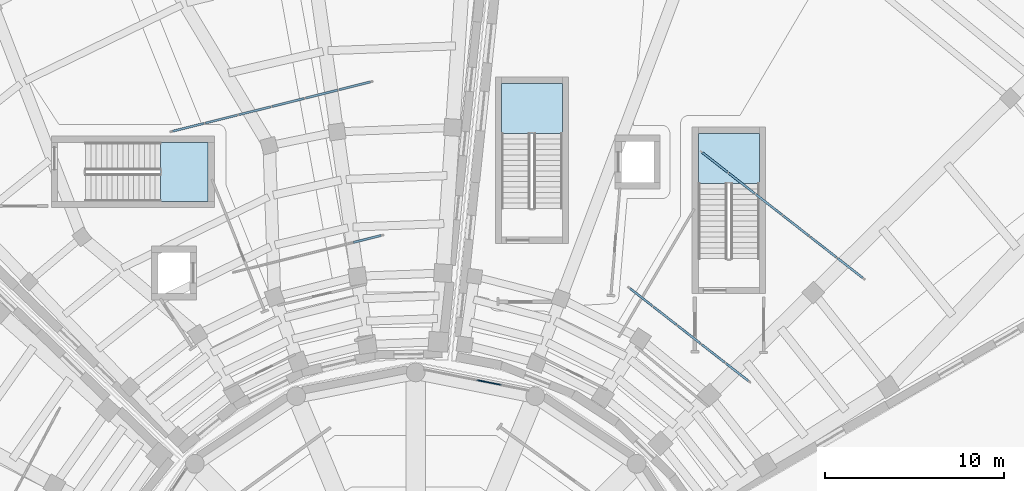
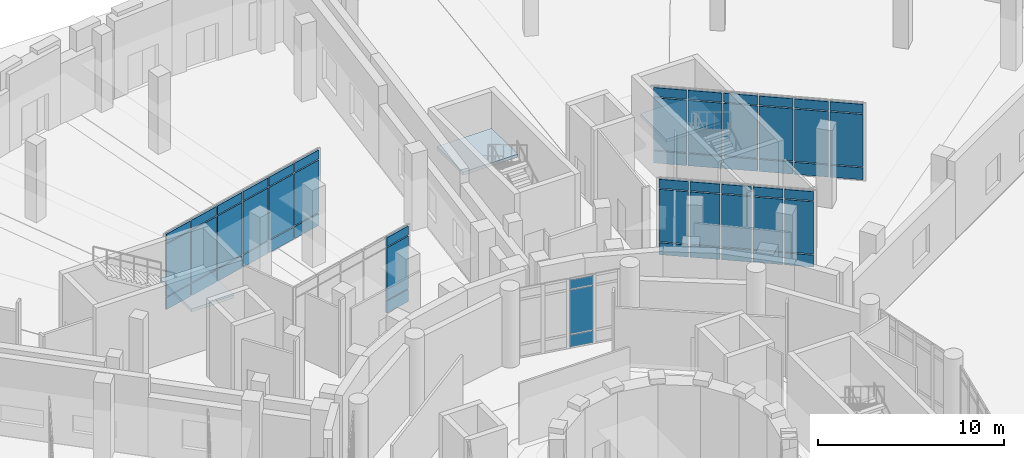
# One storey, part 38 of 74: 57 plates, 3 slabs, 8 elements without a shape of their own.
"""IFC4 building model written with IfcOpenShell, lengths in metres."""

from ifc_helpers import new_model, si_unit, direction, frame, origin, origin_2d, place, context, subcontext, project, spatial, polyline, rectangle, outline, extrude, material, layer, layer_set, type_object, element, aggregate, save


model = new_model("IFC4")

# Units and contexts
model_context = context("Model", 3, precision=1e-05, world=origin(), true_north=direction((0.0, 1.0)))
body_context = subcontext(model_context, "Body", "Model", "MODEL_VIEW")
ifc_project = project(units=[si_unit("LENGTHUNIT", "METRE"), si_unit("AREAUNIT", "SQUARE_METRE"), si_unit("VOLUMEUNIT", "CUBIC_METRE"), si_unit("PLANEANGLEUNIT", "RADIAN"), si_unit("MASSUNIT", "GRAM", prefix="KILO")], contexts=[model_context])

# Site, building, storey
site_placement = place(None, origin())
site = spatial("IfcSite", under=ifc_project, at=site_placement, CompositionType="ELEMENT")
building_placement = place(site_placement, origin())
building = spatial("IfcBuilding", under=site, at=building_placement, Name="Soyqirgoq Riverine Aquarium", CompositionType="ELEMENT")
storey_placement = place(building_placement, origin())
storey = spatial("IfcBuildingStorey", under=building, at=storey_placement, Name="L01", CompositionType="ELEMENT", Elevation=0.0)

# Curtain wall, plates
ifc_material_1 = material(Name="Cast polymethyl methacrylate PMMA Habitat Viewing Glazing", Category="glass")
curtain_wall_type_1 = type_object("IfcCurtainWallType", Name="CW_Interior_TankVitrine", PredefinedType="NOTDEFINED", material=ifc_material_1)
curtain_wall_1_placement = place(storey_placement, origin())
curtain_wall_1 = element("IfcCurtainWall", 1, at=curtain_wall_1_placement, inside=storey, type_object=curtain_wall_type_1, Name="V4 L01 Curtain Wall 151", PredefinedType="NOTDEFINED")
ifc_material_2 = material(Name="Cast polymethyl methacrylate PMMA", Category="glass")
ifc_layer_1 = layer(ifc_material_2, 0.1201171875)
ifc_layer_set_1 = layer_set([ifc_layer_1], Name="Cast polymethyl methacrylate PMMA")
plate_type_1 = type_object("IfcPlateType", Name="CWAcrylicPanel_120", PredefinedType="CURTAIN_PANEL", material=ifc_layer_set_1)
plate_1_placement = place(storey_placement, frame((53.2958984375, 81.902587890625, 0.074951171875), z_axis=(0.0, 0.0, 1.0), x_axis=(-0.970295694292, -0.241922023881, 0.0)))
plate_1 = element("IfcPlate", 2, at=plate_1_placement, type_object=plate_type_1, Name="CW-07 panel 1.1", PredefinedType="CURTAIN_PANEL", context=body_context, shape_type="SweptSolid", body=[
    extrude(rectangle(XDim=1.59033203125, YDim=0.1201171875, at=origin_2d()), origin(), (0.0, 0.0, 1.0), 0.78759765625),
])
plate_2_placement = place(storey_placement, frame((53.2958984375, 81.902587890625, 0.9375), z_axis=(0.0, 0.0, 1.0), x_axis=(-0.970295694292, -0.241922023881, 0.0)))
plate_2 = element("IfcPlate", 3, at=plate_2_placement, type_object=plate_type_1, Name="CW-07 panel 1.2", PredefinedType="CURTAIN_PANEL", context=body_context, shape_type="SweptSolid", body=[
    extrude(rectangle(XDim=1.59033203125, YDim=0.1201171875, at=origin_2d()), origin(), (0.0, 0.0, 1.0), 3.425048828125),
])
plate_3_placement = place(storey_placement, frame((53.2958984375, 81.902587890625, 4.4375), z_axis=(0.0, 0.0, 1.0), x_axis=(-0.970295694292, -0.241922023881, 0.0)))
plate_3 = element("IfcPlate", 4, at=plate_3_placement, type_object=plate_type_1, Name="CW-07 panel 1.3", PredefinedType="CURTAIN_PANEL", context=body_context, shape_type="SweptSolid", body=[
    extrude(rectangle(XDim=1.59033203125, YDim=0.1201171875, at=origin_2d()), origin(), (0.0, 0.0, 1.0), 0.58740234375),
])
aggregate(curtain_wall_1, [plate_1, plate_2, plate_3])

curtain_wall_2_placement = place(storey_placement, origin())
curtain_wall_2 = element("IfcCurtainWall", 5, at=curtain_wall_2_placement, inside=storey, type_object=curtain_wall_type_1, Name="V4 L01 Curtain Wall 152", PredefinedType="NOTDEFINED")
plate_4_placement = place(storey_placement, frame((52.5927734375, 90.4560546875, 0.074951171875), z_axis=(0.0, 0.0, 1.0), x_axis=(-0.970294737313, -0.241925862079, 0.0)))
plate_4 = element("IfcPlate", 6, at=plate_4_placement, type_object=plate_type_1, Name="CW-07 panel 1.1", PredefinedType="CURTAIN_PANEL", context=body_context, shape_type="SweptSolid", body=[
    extrude(rectangle(XDim=1.80322265625, YDim=0.1201171875, at=origin_2d()), origin(), (0.0, 0.0, 1.0), 0.78759765625),
])
plate_5_placement = place(storey_placement, frame((52.5927734375, 90.4560546875, 0.9375), z_axis=(0.0, 0.0, 1.0), x_axis=(-0.970294737313, -0.241925862079, 0.0)))
plate_5 = element("IfcPlate", 7, at=plate_5_placement, type_object=plate_type_1, Name="CW-07 panel 1.2", PredefinedType="CURTAIN_PANEL", context=body_context, shape_type="SweptSolid", body=[
    extrude(rectangle(XDim=1.80322265625, YDim=0.1201171875, at=origin_2d()), origin(), (0.0, 0.0, 1.0), 3.425048828125),
])
plate_6_placement = place(storey_placement, frame((52.5927734375, 90.4560546875, 4.4375), z_axis=(0.0, 0.0, 1.0), x_axis=(-0.970294737313, -0.241925862079, 0.0)))
plate_6 = element("IfcPlate", 8, at=plate_6_placement, type_object=plate_type_1, Name="CW-07 panel 1.3", PredefinedType="CURTAIN_PANEL", context=body_context, shape_type="SweptSolid", body=[
    extrude(rectangle(XDim=1.80322265625, YDim=0.1201171875, at=origin_2d()), origin(), (0.0, 0.0, 1.0), 0.58740234375),
])
plate_7_placement = place(storey_placement, frame((50.746337890625, 89.99560546875, 0.074951171875), z_axis=(0.0, 0.0, 1.0), x_axis=(-0.970294737313, -0.241925862079, 0.0)))
plate_7 = element("IfcPlate", 9, at=plate_7_placement, type_object=plate_type_1, Name="CW-07 panel 2.1", PredefinedType="CURTAIN_PANEL", context=body_context, shape_type="SweptSolid", body=[
    extrude(rectangle(XDim=1.843017578125, YDim=0.1201171875, at=origin_2d()), origin(), (0.0, 0.0, 1.0), 0.78759765625),
])
plate_8_placement = place(storey_placement, frame((50.746337890625, 89.99560546875, 0.9375), z_axis=(0.0, 0.0, 1.0), x_axis=(-0.970294737313, -0.241925862079, 0.0)))
plate_8 = element("IfcPlate", 10, at=plate_8_placement, type_object=plate_type_1, Name="CW-07 panel 2.2", PredefinedType="CURTAIN_PANEL", context=body_context, shape_type="SweptSolid", body=[
    extrude(rectangle(XDim=1.843017578125, YDim=0.1201171875, at=origin_2d()), origin(), (0.0, 0.0, 1.0), 3.425048828125),
])
plate_9_placement = place(storey_placement, frame((50.746337890625, 89.99560546875, 4.4375), z_axis=(0.0, 0.0, 1.0), x_axis=(-0.970294737313, -0.241925862079, 0.0)))
plate_9 = element("IfcPlate", 11, at=plate_9_placement, type_object=plate_type_1, Name="CW-07 panel 2.3", PredefinedType="CURTAIN_PANEL", context=body_context, shape_type="SweptSolid", body=[
    extrude(rectangle(XDim=1.843017578125, YDim=0.1201171875, at=origin_2d()), origin(), (0.0, 0.0, 1.0), 0.58740234375),
])
plate_10_placement = place(storey_placement, frame((48.880126953125, 89.5302734375, 0.074951171875), z_axis=(0.0, 0.0, 1.0), x_axis=(-0.970294737313, -0.241925862079, 0.0)))
plate_10 = element("IfcPlate", 12, at=plate_10_placement, type_object=plate_type_1, Name="CW-07 panel 3.1", PredefinedType="CURTAIN_PANEL", context=body_context, shape_type="SweptSolid", body=[
    extrude(rectangle(XDim=1.843017578125, YDim=0.1201171875, at=origin_2d()), origin(), (0.0, 0.0, 1.0), 0.78759765625),
])
plate_11_placement = place(storey_placement, frame((48.880126953125, 89.5302734375, 0.9375), z_axis=(0.0, 0.0, 1.0), x_axis=(-0.970294737313, -0.241925862079, 0.0)))
plate_11 = element("IfcPlate", 13, at=plate_11_placement, type_object=plate_type_1, Name="CW-07 panel 3.2", PredefinedType="CURTAIN_PANEL", context=body_context, shape_type="SweptSolid", body=[
    extrude(rectangle(XDim=1.843017578125, YDim=0.1201171875, at=origin_2d()), origin(), (0.0, 0.0, 1.0), 3.425048828125),
])
plate_12_placement = place(storey_placement, frame((48.880126953125, 89.5302734375, 4.4375), z_axis=(0.0, 0.0, 1.0), x_axis=(-0.970294737313, -0.241925862079, 0.0)))
plate_12 = element("IfcPlate", 14, at=plate_12_placement, type_object=plate_type_1, Name="CW-07 panel 3.3", PredefinedType="CURTAIN_PANEL", context=body_context, shape_type="SweptSolid", body=[
    extrude(rectangle(XDim=1.843017578125, YDim=0.1201171875, at=origin_2d()), origin(), (0.0, 0.0, 1.0), 0.58740234375),
])
plate_13_placement = place(storey_placement, frame((47.01416015625, 89.065185546875, 0.074951171875), z_axis=(0.0, 0.0, 1.0), x_axis=(-0.970294737313, -0.241925862079, 0.0)))
plate_13 = element("IfcPlate", 15, at=plate_13_placement, type_object=plate_type_1, Name="CW-07 panel 4.1", PredefinedType="CURTAIN_PANEL", context=body_context, shape_type="SweptSolid", body=[
    extrude(rectangle(XDim=1.843017578125, YDim=0.1201171875, at=origin_2d()), origin(), (0.0, 0.0, 1.0), 0.78759765625),
])
plate_14_placement = place(storey_placement, frame((47.01416015625, 89.065185546875, 0.9375), z_axis=(0.0, 0.0, 1.0), x_axis=(-0.970294737313, -0.241925862079, 0.0)))
plate_14 = element("IfcPlate", 16, at=plate_14_placement, type_object=plate_type_1, Name="CW-07 panel 4.2", PredefinedType="CURTAIN_PANEL", context=body_context, shape_type="SweptSolid", body=[
    extrude(rectangle(XDim=1.843017578125, YDim=0.1201171875, at=origin_2d()), origin(), (0.0, 0.0, 1.0), 3.425048828125),
])
plate_15_placement = place(storey_placement, frame((47.01416015625, 89.065185546875, 4.4375), z_axis=(0.0, 0.0, 1.0), x_axis=(-0.970294737313, -0.241925862079, 0.0)))
plate_15 = element("IfcPlate", 17, at=plate_15_placement, type_object=plate_type_1, Name="CW-07 panel 4.3", PredefinedType="CURTAIN_PANEL", context=body_context, shape_type="SweptSolid", body=[
    extrude(rectangle(XDim=1.843017578125, YDim=0.1201171875, at=origin_2d()), origin(), (0.0, 0.0, 1.0), 0.58740234375),
])
plate_16_placement = place(storey_placement, frame((45.148193359375, 88.599853515625, 0.074951171875), z_axis=(0.0, 0.0, 1.0), x_axis=(-0.970294737313, -0.241925862079, 0.0)))
plate_16 = element("IfcPlate", 18, at=plate_16_placement, type_object=plate_type_1, Name="CW-07 panel 5.1", PredefinedType="CURTAIN_PANEL", context=body_context, shape_type="SweptSolid", body=[
    extrude(rectangle(XDim=1.843017578125, YDim=0.1201171875, at=origin_2d()), origin(), (0.0, 0.0, 1.0), 0.78759765625),
])
plate_17_placement = place(storey_placement, frame((45.148193359375, 88.599853515625, 0.9375), z_axis=(0.0, 0.0, 1.0), x_axis=(-0.970294737313, -0.241925862079, 0.0)))
plate_17 = element("IfcPlate", 19, at=plate_17_placement, type_object=plate_type_1, Name="CW-07 panel 5.2", PredefinedType="CURTAIN_PANEL", context=body_context, shape_type="SweptSolid", body=[
    extrude(rectangle(XDim=1.843017578125, YDim=0.1201171875, at=origin_2d()), origin(), (0.0, 0.0, 1.0), 3.425048828125),
])
plate_18_placement = place(storey_placement, frame((45.148193359375, 88.599853515625, 4.4375), z_axis=(0.0, 0.0, 1.0), x_axis=(-0.970294737313, -0.241925862079, 0.0)))
plate_18 = element("IfcPlate", 20, at=plate_18_placement, type_object=plate_type_1, Name="CW-07 panel 5.3", PredefinedType="CURTAIN_PANEL", context=body_context, shape_type="SweptSolid", body=[
    extrude(rectangle(XDim=1.843017578125, YDim=0.1201171875, at=origin_2d()), origin(), (0.0, 0.0, 1.0), 0.58740234375),
])
plate_19_placement = place(storey_placement, frame((43.3017578125, 88.139404296875, 0.074951171875), z_axis=(0.0, 0.0, 1.0), x_axis=(-0.970294737313, -0.241925862079, 0.0)))
plate_19 = element("IfcPlate", 21, at=plate_19_placement, type_object=plate_type_1, Name="CW-07 panel 6.1", PredefinedType="CURTAIN_PANEL", context=body_context, shape_type="SweptSolid", body=[
    extrude(rectangle(XDim=1.80322265625, YDim=0.1201171875, at=origin_2d()), origin(), (0.0, 0.0, 1.0), 0.78759765625),
])
plate_20_placement = place(storey_placement, frame((43.3017578125, 88.139404296875, 0.9375), z_axis=(0.0, 0.0, 1.0), x_axis=(-0.970294737313, -0.241925862079, 0.0)))
plate_20 = element("IfcPlate", 22, at=plate_20_placement, type_object=plate_type_1, Name="CW-07 panel 6.2", PredefinedType="CURTAIN_PANEL", context=body_context, shape_type="SweptSolid", body=[
    extrude(rectangle(XDim=1.80322265625, YDim=0.1201171875, at=origin_2d()), origin(), (0.0, 0.0, 1.0), 3.425048828125),
])
plate_21_placement = place(storey_placement, frame((43.3017578125, 88.139404296875, 4.4375), z_axis=(0.0, 0.0, 1.0), x_axis=(-0.970294737313, -0.241925862079, 0.0)))
plate_21 = element("IfcPlate", 23, at=plate_21_placement, type_object=plate_type_1, Name="CW-07 panel 6.3", PredefinedType="CURTAIN_PANEL", context=body_context, shape_type="SweptSolid", body=[
    extrude(rectangle(XDim=1.80322265625, YDim=0.1201171875, at=origin_2d()), origin(), (0.0, 0.0, 1.0), 0.58740234375),
])
aggregate(curtain_wall_2, [plate_4, plate_5, plate_6, plate_7, plate_8, plate_9, plate_10, plate_11, plate_12, plate_13, plate_14, plate_15, plate_16, plate_17, plate_18, plate_19, plate_20, plate_21])

curtain_wall_3_placement = place(storey_placement, origin())
curtain_wall_3 = element("IfcCurtainWall", 24, at=curtain_wall_3_placement, inside=storey, type_object=curtain_wall_type_1, Name="V5 L01 Curtain Wall 157", PredefinedType="NOTDEFINED")
plate_22_placement = place(storey_placement, frame((73.958740234375, 74.46240234375, 0.074951171875), z_axis=(0.0, 0.0, 1.0), x_axis=(-0.788011077449, 0.615661060826, 0.0)))
plate_22 = element("IfcPlate", 25, at=plate_22_placement, type_object=plate_type_1, Name="CW-07 panel 1.1", PredefinedType="CURTAIN_PANEL", context=body_context, shape_type="SweptSolid", body=[
    extrude(rectangle(XDim=1.59033203125, YDim=0.1201171875, at=origin_2d()), origin(), (0.0, 0.0, 1.0), 0.78759765625),
])
plate_23_placement = place(storey_placement, frame((73.958740234375, 74.46240234375, 0.9375), z_axis=(0.0, 0.0, 1.0), x_axis=(-0.788011077449, 0.615661060826, 0.0)))
plate_23 = element("IfcPlate", 26, at=plate_23_placement, type_object=plate_type_1, Name="CW-07 panel 1.2", PredefinedType="CURTAIN_PANEL", context=body_context, shape_type="SweptSolid", body=[
    extrude(rectangle(XDim=1.59033203125, YDim=0.1201171875, at=origin_2d()), origin(), (0.0, 0.0, 1.0), 3.425048828125),
])
plate_24_placement = place(storey_placement, frame((73.958740234375, 74.46240234375, 4.4375), z_axis=(0.0, 0.0, 1.0), x_axis=(-0.788011077449, 0.615661060826, 0.0)))
plate_24 = element("IfcPlate", 27, at=plate_24_placement, type_object=plate_type_1, Name="CW-07 panel 1.3", PredefinedType="CURTAIN_PANEL", context=body_context, shape_type="SweptSolid", body=[
    extrude(rectangle(XDim=1.59033203125, YDim=0.1201171875, at=origin_2d()), origin(), (0.0, 0.0, 1.0), 0.58740234375),
])
plate_25_placement = place(storey_placement, frame((72.626708984375, 75.503173828125, 0.074951171875), z_axis=(0.0, 0.0, 1.0), x_axis=(-0.788011077449, 0.615661060826, 0.0)))
plate_25 = element("IfcPlate", 28, at=plate_25_placement, type_object=plate_type_1, Name="CW-07 panel 2.1", PredefinedType="CURTAIN_PANEL", context=body_context, shape_type="SweptSolid", body=[
    extrude(rectangle(XDim=1.63037109375, YDim=0.1201171875, at=origin_2d()), origin(), (0.0, 0.0, 1.0), 0.78759765625),
])
plate_26_placement = place(storey_placement, frame((72.626708984375, 75.503173828125, 0.9375), z_axis=(0.0, 0.0, 1.0), x_axis=(-0.788011077449, 0.615661060826, 0.0)))
plate_26 = element("IfcPlate", 29, at=plate_26_placement, type_object=plate_type_1, Name="CW-07 panel 2.2", PredefinedType="CURTAIN_PANEL", context=body_context, shape_type="SweptSolid", body=[
    extrude(rectangle(XDim=1.63037109375, YDim=0.1201171875, at=origin_2d()), origin(), (0.0, 0.0, 1.0), 3.425048828125),
])
plate_27_placement = place(storey_placement, frame((72.626708984375, 75.503173828125, 4.4375), z_axis=(0.0, 0.0, 1.0), x_axis=(-0.788011077449, 0.615661060826, 0.0)))
plate_27 = element("IfcPlate", 30, at=plate_27_placement, type_object=plate_type_1, Name="CW-07 panel 2.3", PredefinedType="CURTAIN_PANEL", context=body_context, shape_type="SweptSolid", body=[
    extrude(rectangle(XDim=1.63037109375, YDim=0.1201171875, at=origin_2d()), origin(), (0.0, 0.0, 1.0), 0.58740234375),
])
plate_28_placement = place(storey_placement, frame((71.279052734375, 76.55615234375, 0.074951171875), z_axis=(0.0, 0.0, 1.0), x_axis=(-0.788011077449, 0.615661060826, 0.0)))
plate_28 = element("IfcPlate", 31, at=plate_28_placement, type_object=plate_type_1, Name="CW-07 panel 3.1", PredefinedType="CURTAIN_PANEL", context=body_context, shape_type="SweptSolid", body=[
    extrude(rectangle(XDim=1.63037109375, YDim=0.1201171875, at=origin_2d()), origin(), (0.0, 0.0, 1.0), 0.78759765625),
])
plate_29_placement = place(storey_placement, frame((71.279052734375, 76.55615234375, 0.9375), z_axis=(0.0, 0.0, 1.0), x_axis=(-0.788011077449, 0.615661060826, 0.0)))
plate_29 = element("IfcPlate", 32, at=plate_29_placement, type_object=plate_type_1, Name="CW-07 panel 3.2", PredefinedType="CURTAIN_PANEL", context=body_context, shape_type="SweptSolid", body=[
    extrude(rectangle(XDim=1.63037109375, YDim=0.1201171875, at=origin_2d()), origin(), (0.0, 0.0, 1.0), 3.425048828125),
])
plate_30_placement = place(storey_placement, frame((71.279052734375, 76.55615234375, 4.4375), z_axis=(0.0, 0.0, 1.0), x_axis=(-0.788011077449, 0.615661060826, 0.0)))
plate_30 = element("IfcPlate", 33, at=plate_30_placement, type_object=plate_type_1, Name="CW-07 panel 3.3", PredefinedType="CURTAIN_PANEL", context=body_context, shape_type="SweptSolid", body=[
    extrude(rectangle(XDim=1.63037109375, YDim=0.1201171875, at=origin_2d()), origin(), (0.0, 0.0, 1.0), 0.58740234375),
])
plate_31_placement = place(storey_placement, frame((69.93115234375, 77.609130859375, 0.074951171875), z_axis=(0.0, 0.0, 1.0), x_axis=(-0.788011077449, 0.615661060826, 0.0)))
plate_31 = element("IfcPlate", 34, at=plate_31_placement, type_object=plate_type_1, Name="CW-07 panel 4.1", PredefinedType="CURTAIN_PANEL", context=body_context, shape_type="SweptSolid", body=[
    extrude(rectangle(XDim=1.63037109375, YDim=0.1201171875, at=origin_2d()), origin(), (0.0, 0.0, 1.0), 0.78759765625),
])
plate_32_placement = place(storey_placement, frame((69.93115234375, 77.609130859375, 0.9375), z_axis=(0.0, 0.0, 1.0), x_axis=(-0.788011077449, 0.615661060826, 0.0)))
plate_32 = element("IfcPlate", 35, at=plate_32_placement, type_object=plate_type_1, Name="CW-07 panel 4.2", PredefinedType="CURTAIN_PANEL", context=body_context, shape_type="SweptSolid", body=[
    extrude(rectangle(XDim=1.63037109375, YDim=0.1201171875, at=origin_2d()), origin(), (0.0, 0.0, 1.0), 3.425048828125),
])
plate_33_placement = place(storey_placement, frame((69.93115234375, 77.609130859375, 4.4375), z_axis=(0.0, 0.0, 1.0), x_axis=(-0.788011077449, 0.615661060826, 0.0)))
plate_33 = element("IfcPlate", 36, at=plate_33_placement, type_object=plate_type_1, Name="CW-07 panel 4.3", PredefinedType="CURTAIN_PANEL", context=body_context, shape_type="SweptSolid", body=[
    extrude(rectangle(XDim=1.63037109375, YDim=0.1201171875, at=origin_2d()), origin(), (0.0, 0.0, 1.0), 0.58740234375),
])
plate_34_placement = place(storey_placement, frame((68.59912109375, 78.64990234375, 0.074951171875), z_axis=(0.0, 0.0, 1.0), x_axis=(-0.788011077449, 0.615661060826, 0.0)))
plate_34 = element("IfcPlate", 37, at=plate_34_placement, type_object=plate_type_1, Name="CW-07 panel 5.1", PredefinedType="CURTAIN_PANEL", context=body_context, shape_type="SweptSolid", body=[
    extrude(rectangle(XDim=1.59033203125, YDim=0.1201171875, at=origin_2d()), origin(), (0.0, 0.0, 1.0), 0.78759765625),
])
plate_35_placement = place(storey_placement, frame((68.59912109375, 78.64990234375, 0.9375), z_axis=(0.0, 0.0, 1.0), x_axis=(-0.788011077449, 0.615661060826, 0.0)))
plate_35 = element("IfcPlate", 38, at=plate_35_placement, type_object=plate_type_1, Name="CW-07 panel 5.2", PredefinedType="CURTAIN_PANEL", context=body_context, shape_type="SweptSolid", body=[
    extrude(rectangle(XDim=1.59033203125, YDim=0.1201171875, at=origin_2d()), origin(), (0.0, 0.0, 1.0), 3.425048828125),
])
plate_36_placement = place(storey_placement, frame((68.59912109375, 78.64990234375, 4.4375), z_axis=(0.0, 0.0, 1.0), x_axis=(-0.788011077449, 0.615661060826, 0.0)))
plate_36 = element("IfcPlate", 39, at=plate_36_placement, type_object=plate_type_1, Name="CW-07 panel 5.3", PredefinedType="CURTAIN_PANEL", context=body_context, shape_type="SweptSolid", body=[
    extrude(rectangle(XDim=1.59033203125, YDim=0.1201171875, at=origin_2d()), origin(), (0.0, 0.0, 1.0), 0.58740234375),
])
aggregate(curtain_wall_3, [plate_22, plate_23, plate_24, plate_25, plate_26, plate_27, plate_28, plate_29, plate_30, plate_31, plate_32, plate_33, plate_34, plate_35, plate_36])

curtain_wall_4_placement = place(storey_placement, origin())
curtain_wall_4 = element("IfcCurtainWall", 40, at=curtain_wall_4_placement, inside=storey, type_object=curtain_wall_type_1, Name="V5 L01 Curtain Wall 158", PredefinedType="NOTDEFINED")
plate_37_placement = place(storey_placement, frame((80.26611328125, 80.282470703125, 0.074951171875), z_axis=(0.0, 0.0, 1.0), x_axis=(-0.788015701833, 0.615655141832, 0.0)))
plate_37 = element("IfcPlate", 41, at=plate_37_placement, type_object=plate_type_1, Name="CW-07 panel 1.1", PredefinedType="CURTAIN_PANEL", context=body_context, shape_type="SweptSolid", body=[
    extrude(rectangle(XDim=1.802978515625, YDim=0.1201171875, at=origin_2d()), origin(), (0.0, 0.0, 1.0), 0.78759765625),
])
plate_38_placement = place(storey_placement, frame((80.26611328125, 80.282470703125, 0.9375), z_axis=(0.0, 0.0, 1.0), x_axis=(-0.788015701833, 0.615655141832, 0.0)))
plate_38 = element("IfcPlate", 42, at=plate_38_placement, type_object=plate_type_1, Name="CW-07 panel 1.2", PredefinedType="CURTAIN_PANEL", context=body_context, shape_type="SweptSolid", body=[
    extrude(rectangle(XDim=1.802978515625, YDim=0.1201171875, at=origin_2d()), origin(), (0.0, 0.0, 1.0), 3.425048828125),
])
plate_39_placement = place(storey_placement, frame((80.26611328125, 80.282470703125, 4.4375), z_axis=(0.0, 0.0, 1.0), x_axis=(-0.788015701833, 0.615655141832, 0.0)))
plate_39 = element("IfcPlate", 43, at=plate_39_placement, type_object=plate_type_1, Name="CW-07 panel 1.3", PredefinedType="CURTAIN_PANEL", context=body_context, shape_type="SweptSolid", body=[
    extrude(rectangle(XDim=1.802978515625, YDim=0.1201171875, at=origin_2d()), origin(), (0.0, 0.0, 1.0), 0.58740234375),
])
plate_40_placement = place(storey_placement, frame((78.766357421875, 81.4541015625, 0.074951171875), z_axis=(0.0, 0.0, 1.0), x_axis=(-0.788015701833, 0.615655141832, 0.0)))
plate_40 = element("IfcPlate", 44, at=plate_40_placement, type_object=plate_type_1, Name="CW-07 panel 2.1", PredefinedType="CURTAIN_PANEL", context=body_context, shape_type="SweptSolid", body=[
    extrude(rectangle(XDim=1.843017578125, YDim=0.1201171875, at=origin_2d()), origin(), (0.0, 0.0, 1.0), 0.78759765625),
])
plate_41_placement = place(storey_placement, frame((78.766357421875, 81.4541015625, 0.9375), z_axis=(0.0, 0.0, 1.0), x_axis=(-0.788015701833, 0.615655141832, 0.0)))
plate_41 = element("IfcPlate", 45, at=plate_41_placement, type_object=plate_type_1, Name="CW-07 panel 2.2", PredefinedType="CURTAIN_PANEL", context=body_context, shape_type="SweptSolid", body=[
    extrude(rectangle(XDim=1.843017578125, YDim=0.1201171875, at=origin_2d()), origin(), (0.0, 0.0, 1.0), 3.425048828125),
])
plate_42_placement = place(storey_placement, frame((78.766357421875, 81.4541015625, 4.4375), z_axis=(0.0, 0.0, 1.0), x_axis=(-0.788015701833, 0.615655141832, 0.0)))
plate_42 = element("IfcPlate", 46, at=plate_42_placement, type_object=plate_type_1, Name="CW-07 panel 2.3", PredefinedType="CURTAIN_PANEL", context=body_context, shape_type="SweptSolid", body=[
    extrude(rectangle(XDim=1.843017578125, YDim=0.1201171875, at=origin_2d()), origin(), (0.0, 0.0, 1.0), 0.58740234375),
])
plate_43_placement = place(storey_placement, frame((77.2509765625, 82.63818359375, 0.074951171875), z_axis=(0.0, 0.0, 1.0), x_axis=(-0.788015701833, 0.615655141832, 0.0)))
plate_43 = element("IfcPlate", 47, at=plate_43_placement, type_object=plate_type_1, Name="CW-07 panel 3.1", PredefinedType="CURTAIN_PANEL", context=body_context, shape_type="SweptSolid", body=[
    extrude(rectangle(XDim=1.843017578125, YDim=0.1201171875, at=origin_2d()), origin(), (0.0, 0.0, 1.0), 0.78759765625),
])
plate_44_placement = place(storey_placement, frame((77.2509765625, 82.63818359375, 0.9375), z_axis=(0.0, 0.0, 1.0), x_axis=(-0.788015701833, 0.615655141832, 0.0)))
plate_44 = element("IfcPlate", 48, at=plate_44_placement, type_object=plate_type_1, Name="CW-07 panel 3.2", PredefinedType="CURTAIN_PANEL", context=body_context, shape_type="SweptSolid", body=[
    extrude(rectangle(XDim=1.843017578125, YDim=0.1201171875, at=origin_2d()), origin(), (0.0, 0.0, 1.0), 3.425048828125),
])
plate_45_placement = place(storey_placement, frame((77.2509765625, 82.63818359375, 4.4375), z_axis=(0.0, 0.0, 1.0), x_axis=(-0.788015701833, 0.615655141832, 0.0)))
plate_45 = element("IfcPlate", 49, at=plate_45_placement, type_object=plate_type_1, Name="CW-07 panel 3.3", PredefinedType="CURTAIN_PANEL", context=body_context, shape_type="SweptSolid", body=[
    extrude(rectangle(XDim=1.843017578125, YDim=0.1201171875, at=origin_2d()), origin(), (0.0, 0.0, 1.0), 0.58740234375),
])
plate_46_placement = place(storey_placement, frame((75.735595703125, 83.822021484375, 0.074951171875), z_axis=(0.0, 0.0, 1.0), x_axis=(-0.788015701833, 0.615655141832, 0.0)))
plate_46 = element("IfcPlate", 50, at=plate_46_placement, type_object=plate_type_1, Name="CW-07 panel 4.1", PredefinedType="CURTAIN_PANEL", context=body_context, shape_type="SweptSolid", body=[
    extrude(rectangle(XDim=1.843017578125, YDim=0.1201171875, at=origin_2d()), origin(), (0.0, 0.0, 1.0), 0.78759765625),
])
plate_47_placement = place(storey_placement, frame((75.735595703125, 83.822021484375, 0.9375), z_axis=(0.0, 0.0, 1.0), x_axis=(-0.788015701833, 0.615655141832, 0.0)))
plate_47 = element("IfcPlate", 51, at=plate_47_placement, type_object=plate_type_1, Name="CW-07 panel 4.2", PredefinedType="CURTAIN_PANEL", context=body_context, shape_type="SweptSolid", body=[
    extrude(rectangle(XDim=1.843017578125, YDim=0.1201171875, at=origin_2d()), origin(), (0.0, 0.0, 1.0), 3.425048828125),
])
plate_48_placement = place(storey_placement, frame((75.735595703125, 83.822021484375, 4.4375), z_axis=(0.0, 0.0, 1.0), x_axis=(-0.788015701833, 0.615655141832, 0.0)))
plate_48 = element("IfcPlate", 52, at=plate_48_placement, type_object=plate_type_1, Name="CW-07 panel 4.3", PredefinedType="CURTAIN_PANEL", context=body_context, shape_type="SweptSolid", body=[
    extrude(rectangle(XDim=1.843017578125, YDim=0.1201171875, at=origin_2d()), origin(), (0.0, 0.0, 1.0), 0.58740234375),
])
plate_49_placement = place(storey_placement, frame((74.219970703125, 85.006103515625, 0.074951171875), z_axis=(0.0, 0.0, 1.0), x_axis=(-0.788015701833, 0.615655141832, 0.0)))
plate_49 = element("IfcPlate", 53, at=plate_49_placement, type_object=plate_type_1, Name="CW-07 panel 5.1", PredefinedType="CURTAIN_PANEL", context=body_context, shape_type="SweptSolid", body=[
    extrude(rectangle(XDim=1.843017578125, YDim=0.1201171875, at=origin_2d()), origin(), (0.0, 0.0, 1.0), 0.78759765625),
])
plate_50_placement = place(storey_placement, frame((74.219970703125, 85.006103515625, 0.9375), z_axis=(0.0, 0.0, 1.0), x_axis=(-0.788015701833, 0.615655141832, 0.0)))
plate_50 = element("IfcPlate", 54, at=plate_50_placement, type_object=plate_type_1, Name="CW-07 panel 5.2", PredefinedType="CURTAIN_PANEL", context=body_context, shape_type="SweptSolid", body=[
    extrude(rectangle(XDim=1.843017578125, YDim=0.1201171875, at=origin_2d()), origin(), (0.0, 0.0, 1.0), 3.425048828125),
])
plate_51_placement = place(storey_placement, frame((74.219970703125, 85.006103515625, 4.4375), z_axis=(0.0, 0.0, 1.0), x_axis=(-0.788015701833, 0.615655141832, 0.0)))
plate_51 = element("IfcPlate", 55, at=plate_51_placement, type_object=plate_type_1, Name="CW-07 panel 5.3", PredefinedType="CURTAIN_PANEL", context=body_context, shape_type="SweptSolid", body=[
    extrude(rectangle(XDim=1.843017578125, YDim=0.1201171875, at=origin_2d()), origin(), (0.0, 0.0, 1.0), 0.58740234375),
])
plate_52_placement = place(storey_placement, frame((72.720458984375, 86.177734375, 0.074951171875), z_axis=(0.0, 0.0, 1.0), x_axis=(-0.788015701833, 0.615655141832, 0.0)))
plate_52 = element("IfcPlate", 56, at=plate_52_placement, type_object=plate_type_1, Name="CW-07 panel 6.1", PredefinedType="CURTAIN_PANEL", context=body_context, shape_type="SweptSolid", body=[
    extrude(rectangle(XDim=1.802978515625, YDim=0.1201171875, at=origin_2d()), origin(), (0.0, 0.0, 1.0), 0.78759765625),
])
plate_53_placement = place(storey_placement, frame((72.720458984375, 86.177734375, 0.9375), z_axis=(0.0, 0.0, 1.0), x_axis=(-0.788015701833, 0.615655141832, 0.0)))
plate_53 = element("IfcPlate", 57, at=plate_53_placement, type_object=plate_type_1, Name="CW-07 panel 6.2", PredefinedType="CURTAIN_PANEL", context=body_context, shape_type="SweptSolid", body=[
    extrude(rectangle(XDim=1.802978515625, YDim=0.1201171875, at=origin_2d()), origin(), (0.0, 0.0, 1.0), 3.425048828125),
])
plate_54_placement = place(storey_placement, frame((72.720458984375, 86.177734375, 4.4375), z_axis=(0.0, 0.0, 1.0), x_axis=(-0.788015701833, 0.615655141832, 0.0)))
plate_54 = element("IfcPlate", 58, at=plate_54_placement, type_object=plate_type_1, Name="CW-07 panel 6.3", PredefinedType="CURTAIN_PANEL", context=body_context, shape_type="SweptSolid", body=[
    extrude(rectangle(XDim=1.802978515625, YDim=0.1201171875, at=origin_2d()), origin(), (0.0, 0.0, 1.0), 0.58740234375),
])
aggregate(curtain_wall_4, [plate_37, plate_38, plate_39, plate_40, plate_41, plate_42, plate_43, plate_44, plate_45, plate_46, plate_47, plate_48, plate_49, plate_50, plate_51, plate_52, plate_53, plate_54])

ifc_material_3 = material(Name="Anodised aluminium thermally broken triple low-E glazing", Category="aluminium")
curtain_wall_type_2 = type_object("IfcCurtainWallType", Name="CW_DrumGallery_Unitised", PredefinedType="NOTDEFINED", material=ifc_material_3)
curtain_wall_5_placement = place(storey_placement, origin())
curtain_wall_5 = element("IfcCurtainWall", 59, at=curtain_wall_5_placement, inside=storey, type_object=curtain_wall_type_2, Name="V1 L01 Curtain Wall 012", PredefinedType="NOTDEFINED")
ifc_material_4 = material(Name="Insulated shadow-box aluminium spandrel panel", Category="aluminium")
ifc_layer_2 = layer(ifc_material_4, 0.06005859375)
ifc_layer_set_2 = layer_set([ifc_layer_2], Name="Insulated shadow-box aluminium spandrel panel")
plate_type_2 = type_object("IfcPlateType", Name="CWSpandrelPanel_60", PredefinedType="CURTAIN_PANEL", material=ifc_layer_set_2)
plate_55_placement = place(storey_placement, frame((60.102294921875, 73.884033203125, 0.074951171875), z_axis=(0.0, 0.0, 1.0), x_axis=(-0.980788371338, 0.195074782196, 0.0)))
plate_55 = element("IfcPlate", 60, at=plate_55_placement, type_object=plate_type_2, Name="CW-01 panel 2.1", PredefinedType="CURTAIN_PANEL", context=body_context, shape_type="SweptSolid", body=[
    extrude(rectangle(XDim=1.379150390625, YDim=0.06005859375, at=origin_2d()), origin(), (0.0, 0.0, 1.0), 0.78759765625),
])
plate_56_placement = place(storey_placement, frame((60.102294921875, 73.884033203125, 0.9375), z_axis=(0.0, 0.0, 1.0), x_axis=(-0.980788371338, 0.195074782196, 0.0)))
plate_56 = element("IfcPlate", 61, at=plate_56_placement, type_object=plate_type_2, Name="CW-01 panel 2.2", PredefinedType="CURTAIN_PANEL", context=body_context, shape_type="SweptSolid", body=[
    extrude(rectangle(XDim=1.379150390625, YDim=0.06005859375, at=origin_2d()), origin(), (0.0, 0.0, 1.0), 2.875),
])
plate_57_placement = place(storey_placement, frame((60.102294921875, 73.884033203125, 3.887451171875), z_axis=(0.0, 0.0, 1.0), x_axis=(-0.980788371338, 0.195074782196, 0.0)))
plate_57 = element("IfcPlate", 62, at=plate_57_placement, type_object=plate_type_2, Name="CW-01 panel 2.3", PredefinedType="CURTAIN_PANEL", context=body_context, shape_type="SweptSolid", body=[
    extrude(rectangle(XDim=1.379150390625, YDim=0.06005859375, at=origin_2d()), origin(), (0.0, 0.0, 1.0), 0.58740234375),
])
aggregate(curtain_wall_5, [plate_55, plate_56, plate_57])

# Stair, slab
ifc_material_5 = material(Name="Concrete C35/45", Category="concrete")
stair_type = type_object("IfcStairType", Name="CoreDoglegStair_RC", PredefinedType="HALF_TURN_STAIR", material=ifc_material_5)
stair_1_placement = place(storey_placement, origin())
stair_1 = element("IfcStair", 63, at=stair_1_placement, inside=storey, type_object=stair_type, Name="L01 Enclosed Exit Stair ST-4", PredefinedType="HALF_TURN_STAIR")
ifc_material_6 = material(Name="Concrete C35/45", Category="concrete")
ifc_layer_3 = layer(ifc_material_6, 0.199951171875)
ifc_layer_set_3 = layer_set([ifc_layer_3], Name="Concrete C35/45")
slab_type = type_object("IfcSlabType", Name="CoreStairLanding_RC", PredefinedType="LANDING", material=ifc_layer_set_3)
slab_1_placement = place(storey_placement, frame((0.0, 0.0, 2.5)))
slab_1 = element("IfcSlab", 64, at=slab_1_placement, type_object=slab_type, Name="ST-4 landing 1", PredefinedType="LANDING", context=body_context, shape_type="SweptSolid", body=[
    extrude(outline(polyline([(41.75, 84.0), (44.39990234375, 84.0), (44.39990234375, 87.300048828125), (41.75, 87.300048828125), (41.75, 84.0)])), origin(), (0.0, 0.0, 1.0), 0.199951171875),
])
aggregate(stair_1, [slab_1])

stair_2_placement = place(storey_placement, origin())
stair_2 = element("IfcStair", 65, at=stair_2_placement, inside=storey, type_object=stair_type, Name="L01 Enclosed Exit Stair ST-5", PredefinedType="HALF_TURN_STAIR")
slab_2_placement = place(storey_placement, frame((0.0, 0.0, 2.5)))
slab_2 = element("IfcSlab", 66, at=slab_2_placement, type_object=slab_type, Name="ST-5 landing 1", PredefinedType="LANDING", context=body_context, shape_type="SweptSolid", body=[
    extrude(outline(polyline([(64.199951171875, 87.800048828125), (64.199951171875, 90.60009765625), (60.800048828125, 90.60009765625), (60.800048828125, 87.800048828125), (64.199951171875, 87.800048828125)])), origin(), (0.0, 0.0, 1.0), 0.199951171875),
])
aggregate(stair_2, [slab_2])

stair_3_placement = place(storey_placement, origin())
stair_3 = element("IfcStair", 67, at=stair_3_placement, inside=storey, type_object=stair_type, Name="L01 Enclosed Exit Stair ST-6", PredefinedType="HALF_TURN_STAIR")
slab_3_placement = place(storey_placement, frame((0.0, 0.0, 2.5)))
slab_3 = element("IfcSlab", 68, at=slab_3_placement, type_object=slab_type, Name="ST-6 landing 1", PredefinedType="LANDING", context=body_context, shape_type="SweptSolid", body=[
    extrude(outline(polyline([(75.199951171875, 85.0), (75.199951171875, 87.800048828125), (71.800048828125, 87.800048828125), (71.800048828125, 85.0), (75.199951171875, 85.0)])), origin(), (0.0, 0.0, 1.0), 0.199951171875),
])
aggregate(stair_3, [slab_3])

save(model, "model.ifc")
